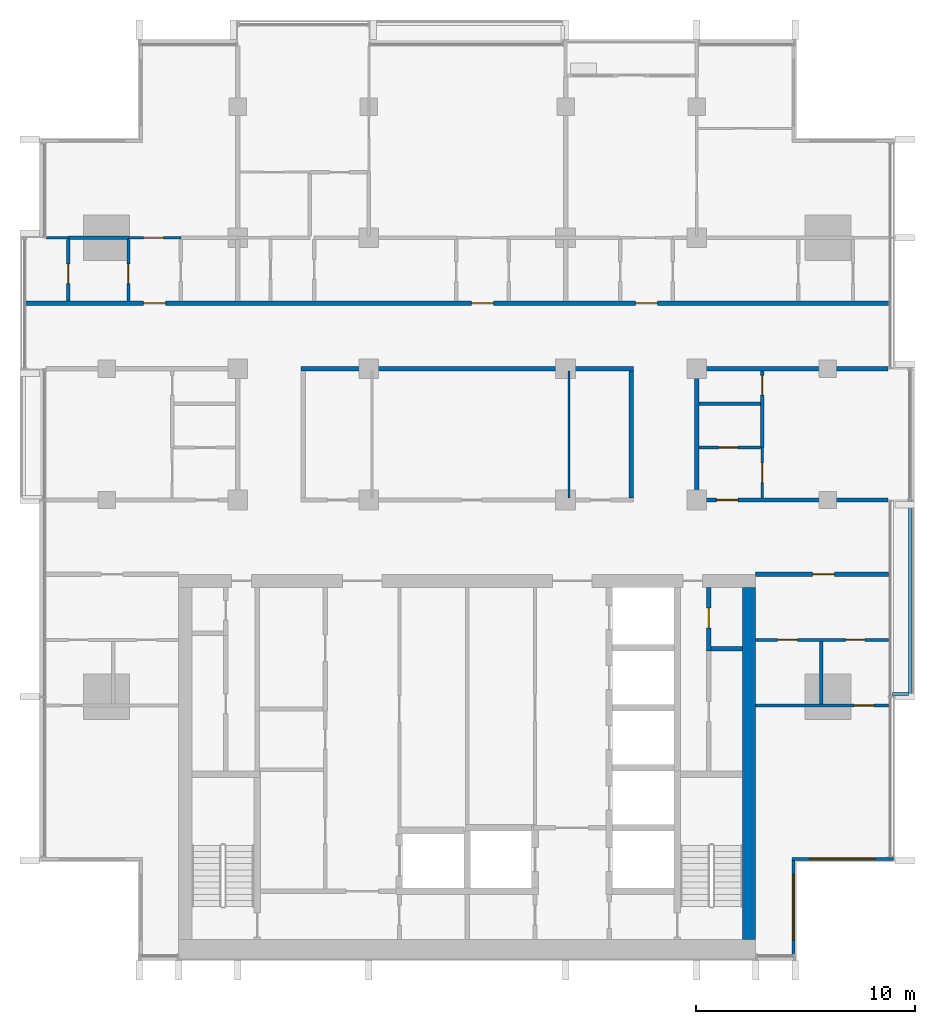
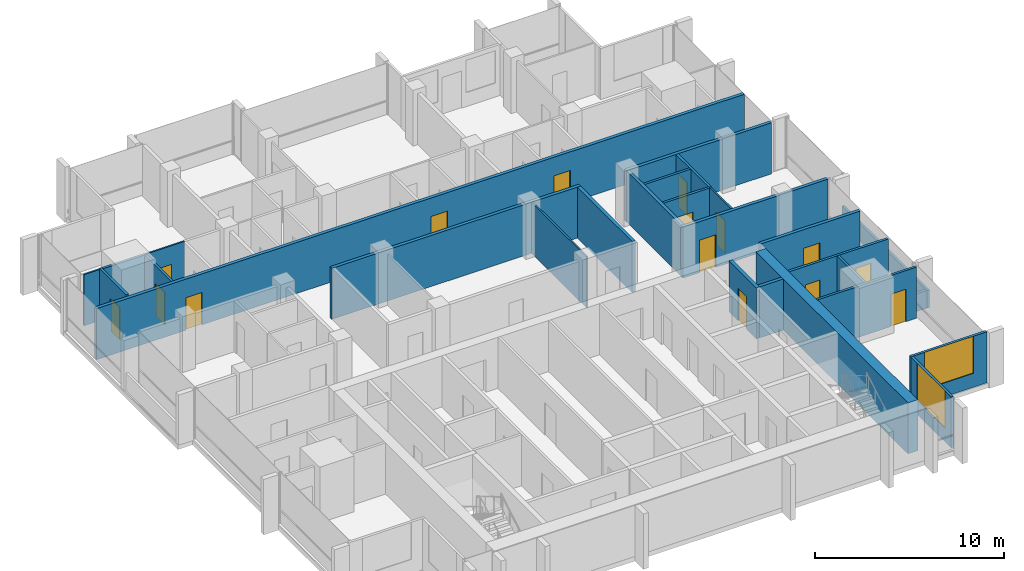
# One storey, part 9 of 16: 27 walls, 15 doors, 2 windows, 17 openings.
"""IFC4 building model written with IfcOpenShell, lengths in metres."""

from ifc_helpers import new_model, si_unit, direction, frame, frame_2d, origin, place, context, subcontext, project, spatial, rectangle, extrude, material, layer, layer_set, type_object, element, fill, save


model = new_model("IFC4")

# Units and contexts
model_context = context("Model", 3, precision=1e-05, world=origin(), true_north=direction((0.0, 1.0)))
body_context = subcontext(model_context, "Body", "Model", "MODEL_VIEW")
ifc_project = project(units=[si_unit("LENGTHUNIT", "METRE"), si_unit("AREAUNIT", "SQUARE_METRE"), si_unit("VOLUMEUNIT", "CUBIC_METRE"), si_unit("PLANEANGLEUNIT", "RADIAN"), si_unit("MASSUNIT", "GRAM", prefix="KILO")], contexts=[model_context])

# Site, building, storey
site_placement = place(None, origin())
site = spatial("IfcSite", under=ifc_project, at=site_placement, CompositionType="ELEMENT")
building_placement = place(site_placement, origin())
building = spatial("IfcBuilding", under=site, at=building_placement, Name="Finial Court Residences", CompositionType="ELEMENT")
storey_placement = place(building_placement, frame((0.0, 0.0, 219.5)))
storey = spatial("IfcBuildingStorey", under=building, at=storey_placement, Name="L55", CompositionType="ELEMENT", Elevation=219.5)

# Wall
ifc_material_1 = material(Name="Concrete C60/75", Category="concrete")
ifc_layer_1 = layer(ifc_material_1, 0.60009765625)
ifc_layer_set_1 = layer_set([ifc_layer_1], Name="Core outer wall 600 Concrete C60/75")
wall_type_1 = type_object("IfcWallType", Name="Core outer wall 600 Concrete C60/75", PredefinedType="SHEAR", material=ifc_layer_set_1)
wall_1_placement = place(storey_placement, frame((12.89990234375, -24.60009765625, 0.0), z_axis=(0.0, 0.0, 1.0), x_axis=(0.0, 1.0, 0.0)))
element("IfcWall", 1, at=wall_1_placement, inside=storey, type_object=wall_type_1, Name="Core outer wall L55-04", PredefinedType="SHEAR", context=body_context, shape_type="SweptSolid", body=[
    extrude(rectangle(XDim=16.10009765625, YDim=0.60009765625, at=frame_2d((8.050048828125, 0.0))), origin(), (0.0, 0.0, 1.0), 3.300048828125),
])

# Wall, opening, door
ifc_material_2 = material(Name="Gypsum board")
ifc_layer_2 = layer(ifc_material_2, 0.02490234375)
ifc_material_3 = material(Name="Acoustic mineral wool in double frame")
ifc_layer_3 = layer(ifc_material_3, 0.14990234375)
ifc_layer_4 = layer(ifc_material_2, 0.02490234375)
ifc_layer_set_2 = layer_set([ifc_layer_2, ifc_layer_3, ifc_layer_4], Name="Corridor wall 200, 1 hour")
wall_type_2 = type_object("IfcWallType", Name="Corridor wall 200, 1 hour", PredefinedType="PARTITIONING", material=ifc_layer_set_2)
wall_2_placement = place(storey_placement, frame((13.199951171875, -7.89990234375, 0.0), z_axis=(0.0, 0.0, 1.0), x_axis=(1.0, 0.0, 0.0)))
wall_2 = element("IfcWall", 2, at=wall_2_placement, inside=storey, type_object=wall_type_2, Name="Partition L55-005", PredefinedType="PARTITIONING", context=body_context, shape_type="SweptSolid", body=[
    extrude(rectangle(XDim=6.0625, YDim=0.199951171875, at=frame_2d((3.03125, 0.0))), origin(), (0.0, 0.0, 1.0), 3.300048828125),
])
opening_1_placement = place(wall_2_placement, frame((2.60009765625, 0.0, 0.0)))
opening_1 = element("IfcOpeningElement", 3, at=opening_1_placement, cuts=wall_2, Name="Opening L55-D008", PredefinedType="OPENING", context=body_context, shape_type="SweptSolid", body=[
    extrude(rectangle(XDim=1.0, YDim=2.10009765625, at=frame_2d((0.5, 1.050048828125))), frame((0.0, 0.10986328125, 0.0), z_axis=(0.0, -1.0, 0.0), x_axis=(1.0, 0.0, 0.0)), (0.0, 0.0, 1.0), 0.219970703125),
])
ifc_material_4 = material(Name="Timber door leaf in hollow metal frame", Category="wood")
door_type_1 = type_object("IfcDoorType", Name="Fire door set 1000 x 2100, 30 minutes", OperationType="SINGLE_SWING_LEFT", PredefinedType="DOOR", material=ifc_material_4)
door_1_placement = place(opening_1_placement, origin())
door_1 = element("IfcDoor", 4, at=door_1_placement, inside=storey, type_object=door_type_1, Name="Door L55-D008", OperationType="SINGLE_SWING_RIGHT", OverallHeight=2.10009765625, OverallWidth=1.0, PredefinedType="DOOR", context=body_context, shape_type="SweptSolid", body=[
    extrude(rectangle(XDim=1.0, YDim=2.10009765625, at=frame_2d((0.5, 1.050048828125))), frame((0.0, 0.02490234375, 0.0), z_axis=(0.0, -1.0, 0.0), x_axis=(1.0, 0.0, 0.0)), (0.0, 0.0, 1.0), 0.050048828125),
])
fill(opening_1, door_1)

wall_3_placement = place(storey_placement, frame((10.39990234375, -4.5, 0.0), z_axis=(0.0, 0.0, 1.0), x_axis=(1.0, 0.0, 0.0)))
wall_3 = element("IfcWall", 5, at=wall_3_placement, inside=storey, type_object=wall_type_2, Name="Partition L55-008", PredefinedType="PARTITIONING", context=body_context, shape_type="SweptSolid", body=[
    extrude(rectangle(XDim=8.862548828125, YDim=0.199951171875, at=frame_2d((4.43115234375, 0.0))), origin(), (0.0, 0.0, 1.0), 3.300048828125),
])
opening_2_placement = place(wall_3_placement, frame((1.0, 0.0, 0.0)))
opening_2 = element("IfcOpeningElement", 6, at=opening_2_placement, cuts=wall_3, Name="Opening L55-D013", PredefinedType="OPENING", context=body_context, shape_type="SweptSolid", body=[
    extrude(rectangle(XDim=1.0, YDim=2.10009765625, at=frame_2d((0.5, 1.050048828125))), frame((0.0, 0.10986328125, 0.0), z_axis=(0.0, -1.0, 0.0), x_axis=(1.0, 0.0, 0.0)), (0.0, 0.0, 1.0), 0.219970703125),
])
door_2_placement = place(opening_2_placement, origin())
door_2 = element("IfcDoor", 7, at=door_2_placement, inside=storey, type_object=door_type_1, Name="Door L55-D013", OperationType="SINGLE_SWING_RIGHT", OverallHeight=2.10009765625, OverallWidth=1.0, PredefinedType="DOOR", context=body_context, shape_type="SweptSolid", body=[
    extrude(rectangle(XDim=1.0, YDim=2.10009765625, at=frame_2d((0.5, 1.050048828125))), frame((0.0, 0.02490234375, 0.0), z_axis=(0.0, -1.0, 0.0), x_axis=(1.0, 0.0, 0.0)), (0.0, 0.0, 1.0), 0.050048828125),
])
fill(opening_2, door_2)

# Walls
wall_4_placement = place(storey_placement, frame((-7.60009765625, 1.5, 0.0), z_axis=(0.0, 0.0, 1.0), x_axis=(1.0, 0.0, 0.0)))
element("IfcWall", 8, at=wall_4_placement, inside=storey, type_object=wall_type_2, Name="Partition L55-014", PredefinedType="PARTITIONING", context=body_context, shape_type="SweptSolid", body=[
    extrude(rectangle(XDim=15.2001953125, YDim=0.199951171875, at=frame_2d((7.60009765625, 0.0))), origin(), (0.0, 0.0, 1.0), 3.300048828125),
])
wall_5_placement = place(storey_placement, frame((10.39990234375, 1.5, 0.0), z_axis=(0.0, 0.0, 1.0), x_axis=(1.0, 0.0, 0.0)))
element("IfcWall", 9, at=wall_5_placement, inside=storey, type_object=wall_type_2, Name="Partition L55-015", PredefinedType="PARTITIONING", context=body_context, shape_type="SweptSolid", body=[
    extrude(rectangle(XDim=8.862548828125, YDim=0.199951171875, at=frame_2d((4.43115234375, 0.0))), origin(), (0.0, 0.0, 1.0), 3.300048828125),
])

# Wall, openings, doors
wall_6_placement = place(storey_placement, frame((-20.25, 4.5, 0.0), z_axis=(0.0, 0.0, 1.0), x_axis=(1.0, 0.0, 0.0)))
wall_6 = element("IfcWall", 10, at=wall_6_placement, inside=storey, type_object=wall_type_2, Name="Partition L55-016", PredefinedType="PARTITIONING", context=body_context, shape_type="SweptSolid", body=[
    extrude(rectangle(XDim=39.60009765625, YDim=0.199951171875, at=frame_2d((19.800048828125, 0.0))), origin(), (0.0, 0.0, 1.0), 3.300048828125),
])
opening_3_placement = place(wall_6_placement, frame((5.449951171875, 0.0, 0.0)))
opening_3 = element("IfcOpeningElement", 11, at=opening_3_placement, cuts=wall_6, Name="Opening L55-D016", PredefinedType="OPENING", context=body_context, shape_type="SweptSolid", body=[
    extrude(rectangle(XDim=1.0, YDim=2.10009765625, at=frame_2d((0.5, 1.050048828125))), frame((0.0, 0.10986328125, 0.0), z_axis=(0.0, -1.0, 0.0), x_axis=(1.0, 0.0, 0.0)), (0.0, 0.0, 1.0), 0.219970703125),
])
opening_4_placement = place(wall_6_placement, frame((20.449951171875, 0.0, 0.0)))
opening_4 = element("IfcOpeningElement", 12, at=opening_4_placement, cuts=wall_6, Name="Opening L55-D017", PredefinedType="OPENING", context=body_context, shape_type="SweptSolid", body=[
    extrude(rectangle(XDim=1.0, YDim=2.10009765625, at=frame_2d((0.5, 1.050048828125))), frame((0.0, 0.10986328125, 0.0), z_axis=(0.0, -1.0, 0.0), x_axis=(1.0, 0.0, 0.0)), (0.0, 0.0, 1.0), 0.219970703125),
])
opening_5_placement = place(wall_6_placement, frame((27.949951171875, 0.0, 0.0)))
opening_5 = element("IfcOpeningElement", 13, at=opening_5_placement, cuts=wall_6, Name="Opening L55-D018", PredefinedType="OPENING", context=body_context, shape_type="SweptSolid", body=[
    extrude(rectangle(XDim=1.0, YDim=2.10009765625, at=frame_2d((0.5, 1.050048828125))), frame((0.0, 0.10986328125, 0.0), z_axis=(0.0, -1.0, 0.0), x_axis=(1.0, 0.0, 0.0)), (0.0, 0.0, 1.0), 0.219970703125),
])
door_3_placement = place(opening_3_placement, origin())
door_3 = element("IfcDoor", 14, at=door_3_placement, inside=storey, type_object=door_type_1, Name="Door L55-D016", OperationType="SINGLE_SWING_RIGHT", OverallHeight=2.10009765625, OverallWidth=1.0, PredefinedType="DOOR", context=body_context, shape_type="SweptSolid", body=[
    extrude(rectangle(XDim=1.0, YDim=2.10009765625, at=frame_2d((0.5, 1.050048828125))), frame((0.0, 0.02490234375, 0.0), z_axis=(0.0, -1.0, 0.0), x_axis=(1.0, 0.0, 0.0)), (0.0, 0.0, 1.0), 0.050048828125),
])
fill(opening_3, door_3)
door_4_placement = place(opening_4_placement, origin())
door_4 = element("IfcDoor", 15, at=door_4_placement, inside=storey, type_object=door_type_1, Name="Door L55-D017", OperationType="SINGLE_SWING_LEFT", OverallHeight=2.10009765625, OverallWidth=1.0, PredefinedType="DOOR", context=body_context, shape_type="SweptSolid", body=[
    extrude(rectangle(XDim=1.0, YDim=2.10009765625, at=frame_2d((0.5, 1.050048828125))), frame((0.0, 0.02490234375, 0.0), z_axis=(0.0, -1.0, 0.0), x_axis=(1.0, 0.0, 0.0)), (0.0, 0.0, 1.0), 0.050048828125),
])
fill(opening_4, door_4)
door_5_placement = place(opening_5_placement, origin())
door_5 = element("IfcDoor", 16, at=door_5_placement, inside=storey, type_object=door_type_1, Name="Door L55-D018", OperationType="SINGLE_SWING_LEFT", OverallHeight=2.10009765625, OverallWidth=1.0, PredefinedType="DOOR", context=body_context, shape_type="SweptSolid", body=[
    extrude(rectangle(XDim=1.0, YDim=2.10009765625, at=frame_2d((0.5, 1.050048828125))), frame((0.0, 0.02490234375, 0.0), z_axis=(0.0, -1.0, 0.0), x_axis=(1.0, 0.0, 0.0)), (0.0, 0.0, 1.0), 0.050048828125),
])
fill(opening_5, door_5)

# Walls
for number, where, z_axis, x_axis, name in (
    (17, (7.5, -4.39990234375, 0.0), (0.0, 0.0, 1.0), (0.0, 1.0, 0.0), "Partition L55-054"),
    (18, (10.5, -4.39990234375, 0.0), (0.0, 0.0, 1.0), (0.0, 1.0, 0.0), "Partition L55-056"),
):
    element("IfcWall", number, at=place(storey_placement, frame(where, z_axis=z_axis, x_axis=x_axis)), inside=storey, type_object=wall_type_2, Name=name, PredefinedType="PARTITIONING", context=body_context, shape_type="SweptSolid", body=[
        extrude(rectangle(XDim=5.7998046875, YDim=0.199951171875, at=frame_2d((2.89990234375, 0.0))), origin(), (0.0, 0.0, 1.0), 3.300048828125),
    ])
ifc_layer_5 = layer(ifc_material_2, 0.012451171875)
ifc_material_5 = material(Name="Mineral wool in light-gauge frame")
ifc_layer_6 = layer(ifc_material_5, 0.074951171875)
ifc_layer_7 = layer(ifc_material_2, 0.012451171875)
ifc_layer_set_3 = layer_set([ifc_layer_5, ifc_layer_6, ifc_layer_7], Name="Gypsum board partition 100")
wall_type_3 = type_object("IfcWallType", Name="Gypsum board partition 100", PredefinedType="PARTITIONING", material=ifc_layer_set_3)
wall_7_placement = place(storey_placement, frame((-19.262451171875, 7.5, 0.0), z_axis=(0.0, 0.0, 1.0), x_axis=(1.0, 0.0, 0.0)))
element("IfcWall", 19, at=wall_7_placement, inside=storey, type_object=wall_type_3, Name="Partition L55-017", PredefinedType="PARTITIONING", context=body_context, shape_type="SweptSolid", body=[
    extrude(rectangle(XDim=1.012451171875, YDim=0.10009765625, at=frame_2d((0.50634765625, 0.0))), origin(), (0.0, 0.0, 1.0), 3.300048828125),
])

# Wall, opening, door
wall_8_placement = place(storey_placement, frame((-15.5, 7.5, 0.0), z_axis=(0.0, 0.0, 1.0), x_axis=(1.0, 0.0, 0.0)))
wall_8 = element("IfcWall", 20, at=wall_8_placement, inside=storey, type_object=wall_type_3, Name="Partition L55-018", PredefinedType="PARTITIONING", context=body_context, shape_type="SweptSolid", body=[
    extrude(rectangle(XDim=2.39990234375, YDim=0.10009765625, at=frame_2d((1.199951171875, 0.0))), origin(), (0.0, 0.0, 1.0), 3.300048828125),
])
opening_6_placement = place(wall_8_placement, frame((0.699951171875, 0.0, 0.0)))
opening_6 = element("IfcOpeningElement", 21, at=opening_6_placement, cuts=wall_8, Name="Opening L55-D019", PredefinedType="OPENING", context=body_context, shape_type="SweptSolid", body=[
    extrude(rectangle(XDim=0.89990234375, YDim=2.10009765625, at=frame_2d((0.449951171875, 1.050048828125))), frame((0.0, 0.06005859375, 0.0), z_axis=(0.0, -1.0, 0.0), x_axis=(1.0, 0.0, 0.0)), (0.0, 0.0, 1.0), 0.1201171875),
])
ifc_material_6 = material(Name="Timber door leaf in timber frame", Category="wood")
door_type_2 = type_object("IfcDoorType", Name="Door set 900 x 2100", OperationType="SINGLE_SWING_LEFT", PredefinedType="DOOR", material=ifc_material_6)
door_6_placement = place(opening_6_placement, origin())
door_6 = element("IfcDoor", 22, at=door_6_placement, inside=storey, type_object=door_type_2, Name="Door L55-D019", OperationType="SINGLE_SWING_LEFT", OverallHeight=2.10009765625, OverallWidth=0.89990234375, PredefinedType="DOOR", context=body_context, shape_type="SweptSolid", body=[
    extrude(rectangle(XDim=0.89990234375, YDim=2.10009765625, at=frame_2d((0.449951171875, 1.050048828125))), frame((0.0, 0.02490234375, 0.0), z_axis=(0.0, -1.0, 0.0), x_axis=(1.0, 0.0, 0.0)), (0.0, 0.0, 1.0), 0.050048828125),
])
fill(opening_6, door_6)

# Wall
wall_9_placement = place(storey_placement, frame((4.64990234375, -4.39990234375, 0.0), z_axis=(0.0, 0.0, 1.0), x_axis=(0.0, 1.0, 0.0)))
element("IfcWall", 23, at=wall_9_placement, inside=storey, type_object=wall_type_3, Name="Partition L55-052", PredefinedType="PARTITIONING", context=body_context, shape_type="SweptSolid", body=[
    extrude(rectangle(XDim=5.7998046875, YDim=0.10009765625, at=frame_2d((2.89990234375, 0.0))), origin(), (0.0, 0.0, 1.0), 3.300048828125),
])

# Wall, opening, door
wall_10_placement = place(storey_placement, frame((13.5, -4.39990234375, 0.0), z_axis=(0.0, 0.0, 1.0), x_axis=(0.0, 1.0, 0.0)))
wall_10 = element("IfcWall", 24, at=wall_10_placement, inside=storey, type_object=wall_type_3, Name="Partition L55-058", PredefinedType="PARTITIONING", context=body_context, shape_type="SweptSolid", body=[
    extrude(rectangle(XDim=2.2998046875, YDim=0.10009765625, at=frame_2d((1.14990234375, 0.0))), origin(), (0.0, 0.0, 1.0), 3.300048828125),
])
opening_7_placement = place(wall_10_placement, frame((0.699951171875, 0.0, 0.0)))
opening_7 = element("IfcOpeningElement", 25, at=opening_7_placement, cuts=wall_10, Name="Opening L55-D038", PredefinedType="OPENING", context=body_context, shape_type="SweptSolid", body=[
    extrude(rectangle(XDim=0.89990234375, YDim=2.10009765625, at=frame_2d((0.449951171875, 1.050048828125))), frame((0.0, 0.06005859375, 0.0), z_axis=(0.0, -1.0, 0.0), x_axis=(1.0, 0.0, 0.0)), (0.0, 0.0, 1.0), 0.1201171875),
])
door_7_placement = place(opening_7_placement, origin())
door_7 = element("IfcDoor", 26, at=door_7_placement, inside=storey, type_object=door_type_2, Name="Door L55-D038", OperationType="SINGLE_SWING_LEFT", OverallHeight=2.10009765625, OverallWidth=0.89990234375, PredefinedType="DOOR", context=body_context, shape_type="SweptSolid", body=[
    extrude(rectangle(XDim=0.89990234375, YDim=2.10009765625, at=frame_2d((0.449951171875, 1.050048828125))), frame((0.0, 0.02490234375, 0.0), z_axis=(0.0, -1.0, 0.0), x_axis=(1.0, 0.0, 0.0)), (0.0, 0.0, 1.0), 0.050048828125),
])
fill(opening_7, door_7)

ifc_material_7 = material(Name="Moisture-resistant gypsum board")
ifc_layer_8 = layer(ifc_material_7, 0.012451171875)
ifc_layer_9 = layer(ifc_material_5, 0.125)
ifc_layer_10 = layer(ifc_material_7, 0.012451171875)
ifc_layer_set_4 = layer_set([ifc_layer_8, ifc_layer_9, ifc_layer_10], Name="Gypsum board wet-area partition 150")
wall_type_4 = type_object("IfcWallType", Name="Gypsum board wet-area partition 150", PredefinedType="PARTITIONING", material=ifc_layer_set_4)
wall_11_placement = place(storey_placement, frame((13.199951171875, -13.89990234375, 0.0), z_axis=(0.0, 0.0, 1.0), x_axis=(1.0, 0.0, 0.0)))
wall_11 = element("IfcWall", 27, at=wall_11_placement, inside=storey, type_object=wall_type_4, Name="Partition L55-001", PredefinedType="PARTITIONING", context=body_context, shape_type="SweptSolid", body=[
    extrude(rectangle(XDim=6.0625, YDim=0.14990234375, at=frame_2d((3.03125, 0.0))), origin(), (0.0, 0.0, 1.0), 3.300048828125),
])
opening_8_placement = place(wall_11_placement, frame((4.5, 0.0, 0.0)))
opening_8 = element("IfcOpeningElement", 28, at=opening_8_placement, cuts=wall_11, Name="Opening L55-D002", PredefinedType="OPENING", context=body_context, shape_type="SweptSolid", body=[
    extrude(rectangle(XDim=0.89990234375, YDim=2.10009765625, at=frame_2d((0.449951171875, 1.050048828125))), frame((0.0, 0.0849609375, 0.0), z_axis=(0.0, -1.0, 0.0), x_axis=(1.0, 0.0, 0.0)), (0.0, 0.0, 1.0), 0.169921875),
])
door_8_placement = place(opening_8_placement, origin())
door_8 = element("IfcDoor", 29, at=door_8_placement, inside=storey, type_object=door_type_2, Name="Door L55-D002", OperationType="SINGLE_SWING_RIGHT", OverallHeight=2.10009765625, OverallWidth=0.89990234375, PredefinedType="DOOR", context=body_context, shape_type="SweptSolid", body=[
    extrude(rectangle(XDim=0.89990234375, YDim=2.10009765625, at=frame_2d((0.449951171875, 1.050048828125))), frame((0.0, 0.02490234375, 0.0), z_axis=(0.0, -1.0, 0.0), x_axis=(1.0, 0.0, 0.0)), (0.0, 0.0, 1.0), 0.050048828125),
])
fill(opening_8, door_8)

# Wall, openings, doors
wall_12_placement = place(storey_placement, frame((13.199951171875, -10.89990234375, 0.0), z_axis=(0.0, 0.0, 1.0), x_axis=(1.0, 0.0, 0.0)))
wall_12 = element("IfcWall", 30, at=wall_12_placement, inside=storey, type_object=wall_type_4, Name="Partition L55-003", PredefinedType="PARTITIONING", context=body_context, shape_type="SweptSolid", body=[
    extrude(rectangle(XDim=6.0625, YDim=0.14990234375, at=frame_2d((3.03125, 0.0))), origin(), (0.0, 0.0, 1.0), 3.300048828125),
])
opening_9_placement = place(wall_12_placement, frame((1.0, 0.0, 0.0)))
opening_9 = element("IfcOpeningElement", 31, at=opening_9_placement, cuts=wall_12, Name="Opening L55-D005", PredefinedType="OPENING", context=body_context, shape_type="SweptSolid", body=[
    extrude(rectangle(XDim=0.89990234375, YDim=2.10009765625, at=frame_2d((0.449951171875, 1.050048828125))), frame((0.0, 0.0849609375, 0.0), z_axis=(0.0, -1.0, 0.0), x_axis=(1.0, 0.0, 0.0)), (0.0, 0.0, 1.0), 0.169921875),
])
opening_10_placement = place(wall_12_placement, frame((4.10009765625, 0.0, 0.0)))
opening_10 = element("IfcOpeningElement", 32, at=opening_10_placement, cuts=wall_12, Name="Opening L55-D006", PredefinedType="OPENING", context=body_context, shape_type="SweptSolid", body=[
    extrude(rectangle(XDim=0.89990234375, YDim=2.10009765625, at=frame_2d((0.449951171875, 1.050048828125))), frame((0.0, 0.0849609375, 0.0), z_axis=(0.0, -1.0, 0.0), x_axis=(1.0, 0.0, 0.0)), (0.0, 0.0, 1.0), 0.169921875),
])
door_9_placement = place(opening_9_placement, origin())
door_9 = element("IfcDoor", 33, at=door_9_placement, inside=storey, type_object=door_type_2, Name="Door L55-D005", OperationType="SINGLE_SWING_LEFT", OverallHeight=2.10009765625, OverallWidth=0.89990234375, PredefinedType="DOOR", context=body_context, shape_type="SweptSolid", body=[
    extrude(rectangle(XDim=0.89990234375, YDim=2.10009765625, at=frame_2d((0.449951171875, 1.050048828125))), frame((0.0, 0.02490234375, 0.0), z_axis=(0.0, -1.0, 0.0), x_axis=(1.0, 0.0, 0.0)), (0.0, 0.0, 1.0), 0.050048828125),
])
fill(opening_9, door_9)
door_10_placement = place(opening_10_placement, origin())
door_10 = element("IfcDoor", 34, at=door_10_placement, inside=storey, type_object=door_type_2, Name="Door L55-D006", OperationType="SINGLE_SWING_RIGHT", OverallHeight=2.10009765625, OverallWidth=0.89990234375, PredefinedType="DOOR", context=body_context, shape_type="SweptSolid", body=[
    extrude(rectangle(XDim=0.89990234375, YDim=2.10009765625, at=frame_2d((0.449951171875, 1.050048828125))), frame((0.0, 0.02490234375, 0.0), z_axis=(0.0, -1.0, 0.0), x_axis=(1.0, 0.0, 0.0)), (0.0, 0.0, 1.0), 0.050048828125),
])
fill(opening_10, door_10)

# Wall, opening, door
wall_13_placement = place(storey_placement, frame((10.60009765625, -2.10009765625, 0.0), z_axis=(0.0, 0.0, 1.0), x_axis=(1.0, 0.0, 0.0)))
wall_13 = element("IfcWall", 35, at=wall_13_placement, inside=storey, type_object=wall_type_4, Name="Partition L55-010", PredefinedType="PARTITIONING", context=body_context, shape_type="SweptSolid", body=[
    extrude(rectangle(XDim=2.824951171875, YDim=0.14990234375, at=frame_2d((1.41259765625, 0.0))), origin(), (0.0, 0.0, 1.0), 3.300048828125),
])
opening_11_placement = place(wall_13_placement, frame((0.89990234375, 0.0, 0.0)))
opening_11 = element("IfcOpeningElement", 36, at=opening_11_placement, cuts=wall_13, Name="Opening L55-D015", PredefinedType="OPENING", context=body_context, shape_type="SweptSolid", body=[
    extrude(rectangle(XDim=0.89990234375, YDim=2.10009765625, at=frame_2d((0.449951171875, 1.050048828125))), frame((0.0, 0.0849609375, 0.0), z_axis=(0.0, -1.0, 0.0), x_axis=(1.0, 0.0, 0.0)), (0.0, 0.0, 1.0), 0.169921875),
])
door_11_placement = place(opening_11_placement, origin())
door_11 = element("IfcDoor", 37, at=door_11_placement, inside=storey, type_object=door_type_2, Name="Door L55-D015", OperationType="SINGLE_SWING_RIGHT", OverallHeight=2.10009765625, OverallWidth=0.89990234375, PredefinedType="DOOR", context=body_context, shape_type="SweptSolid", body=[
    extrude(rectangle(XDim=0.89990234375, YDim=2.10009765625, at=frame_2d((0.449951171875, 1.050048828125))), frame((0.0, 0.02490234375, 0.0), z_axis=(0.0, -1.0, 0.0), x_axis=(1.0, 0.0, 0.0)), (0.0, 0.0, 1.0), 0.050048828125),
])
fill(opening_11, door_11)

# Walls
wall_14_placement = place(storey_placement, frame((10.60009765625, -0.10009765625, 0.0), z_axis=(0.0, 0.0, 1.0), x_axis=(1.0, 0.0, 0.0)))
element("IfcWall", 38, at=wall_14_placement, inside=storey, type_object=wall_type_4, Name="Partition L55-012", PredefinedType="PARTITIONING", context=body_context, shape_type="SweptSolid", body=[
    extrude(rectangle(XDim=2.824951171875, YDim=0.14990234375, at=frame_2d((1.41259765625, 0.0))), origin(), (0.0, 0.0, 1.0), 3.300048828125),
])
wall_15_placement = place(storey_placement, frame((-18.25, 7.5, 0.0), z_axis=(0.0, 0.0, 1.0), x_axis=(1.0, 0.0, 0.0)))
element("IfcWall", 39, at=wall_15_placement, inside=storey, type_object=wall_type_4, Name="Partition L55-023", PredefinedType="PARTITIONING", context=body_context, shape_type="SweptSolid", body=[
    extrude(rectangle(XDim=2.75, YDim=0.14990234375, at=frame_2d((1.375, 0.0))), origin(), (0.0, 0.0, 1.0), 3.300048828125),
])

# Wall, opening, door
wall_16_placement = place(storey_placement, frame((-18.25, 4.60009765625, 0.0), z_axis=(0.0, 0.0, 1.0), x_axis=(0.0, 1.0, 0.0)))
wall_16 = element("IfcWall", 40, at=wall_16_placement, inside=storey, type_object=wall_type_4, Name="Partition L55-032", PredefinedType="PARTITIONING", context=body_context, shape_type="SweptSolid", body=[
    extrude(rectangle(XDim=2.824951171875, YDim=0.14990234375, at=frame_2d((1.41259765625, 0.0))), origin(), (0.0, 0.0, 1.0), 3.39990234375),
])
opening_12_placement = place(wall_16_placement, frame((0.800048828125, 0.0, 0.0)))
opening_12 = element("IfcOpeningElement", 41, at=opening_12_placement, cuts=wall_16, Name="Opening L55-D025", PredefinedType="OPENING", context=body_context, shape_type="SweptSolid", body=[
    extrude(rectangle(XDim=0.89990234375, YDim=2.10009765625, at=frame_2d((0.449951171875, 1.050048828125))), frame((0.0, 0.0849609375, 0.0), z_axis=(0.0, -1.0, 0.0), x_axis=(1.0, 0.0, 0.0)), (0.0, 0.0, 1.0), 0.169921875),
])
door_12_placement = place(opening_12_placement, origin())
door_12 = element("IfcDoor", 42, at=door_12_placement, inside=storey, type_object=door_type_2, Name="Door L55-D025", OperationType="SINGLE_SWING_RIGHT", OverallHeight=2.10009765625, OverallWidth=0.89990234375, PredefinedType="DOOR", context=body_context, shape_type="SweptSolid", body=[
    extrude(rectangle(XDim=0.89990234375, YDim=2.10009765625, at=frame_2d((0.449951171875, 1.050048828125))), frame((0.0, 0.02490234375, 0.0), z_axis=(0.0, -1.0, 0.0), x_axis=(1.0, 0.0, 0.0)), (0.0, 0.0, 1.0), 0.050048828125),
])
fill(opening_12, door_12)

wall_17_placement = place(storey_placement, frame((-15.5, 4.60009765625, 0.0), z_axis=(0.0, 0.0, 1.0), x_axis=(0.0, 1.0, 0.0)))
wall_17 = element("IfcWall", 43, at=wall_17_placement, inside=storey, type_object=wall_type_4, Name="Partition L55-034", PredefinedType="PARTITIONING", context=body_context, shape_type="SweptSolid", body=[
    extrude(rectangle(XDim=2.824951171875, YDim=0.14990234375, at=frame_2d((1.41259765625, 0.0))), origin(), (0.0, 0.0, 1.0), 3.300048828125),
])
opening_13_placement = place(wall_17_placement, frame((0.800048828125, 0.0, 0.0)))
opening_13 = element("IfcOpeningElement", 44, at=opening_13_placement, cuts=wall_17, Name="Opening L55-D026", PredefinedType="OPENING", context=body_context, shape_type="SweptSolid", body=[
    extrude(rectangle(XDim=0.89990234375, YDim=2.10009765625, at=frame_2d((0.449951171875, 1.050048828125))), frame((0.0, 0.0849609375, 0.0), z_axis=(0.0, -1.0, 0.0), x_axis=(1.0, 0.0, 0.0)), (0.0, 0.0, 1.0), 0.169921875),
])
door_13_placement = place(opening_13_placement, origin())
door_13 = element("IfcDoor", 45, at=door_13_placement, inside=storey, type_object=door_type_2, Name="Door L55-D026", OperationType="SINGLE_SWING_RIGHT", OverallHeight=2.10009765625, OverallWidth=0.89990234375, PredefinedType="DOOR", context=body_context, shape_type="SweptSolid", body=[
    extrude(rectangle(XDim=0.89990234375, YDim=2.10009765625, at=frame_2d((0.449951171875, 1.050048828125))), frame((0.0, 0.02490234375, 0.0), z_axis=(0.0, -1.0, 0.0), x_axis=(1.0, 0.0, 0.0)), (0.0, 0.0, 1.0), 0.050048828125),
])
fill(opening_13, door_13)

wall_18_placement = place(storey_placement, frame((13.5, -2.10009765625, 0.0), z_axis=(0.0, 0.0, 1.0), x_axis=(0.0, 1.0, 0.0)))
wall_18 = element("IfcWall", 46, at=wall_18_placement, inside=storey, type_object=wall_type_4, Name="Partition L55-059", PredefinedType="PARTITIONING", context=body_context, shape_type="SweptSolid", body=[
    extrude(rectangle(XDim=3.5, YDim=0.14990234375, at=frame_2d((1.75, 0.0))), origin(), (0.0, 0.0, 1.0), 3.300048828125),
])
opening_14_placement = place(wall_18_placement, frame((2.39990234375, 0.0, 0.0)))
opening_14 = element("IfcOpeningElement", 47, at=opening_14_placement, cuts=wall_18, Name="Opening L55-D039", PredefinedType="OPENING", context=body_context, shape_type="SweptSolid", body=[
    extrude(rectangle(XDim=0.89990234375, YDim=2.10009765625, at=frame_2d((0.449951171875, 1.050048828125))), frame((0.0, 0.0849609375, 0.0), z_axis=(0.0, -1.0, 0.0), x_axis=(1.0, 0.0, 0.0)), (0.0, 0.0, 1.0), 0.169921875),
])
door_14_placement = place(opening_14_placement, origin())
door_14 = element("IfcDoor", 48, at=door_14_placement, inside=storey, type_object=door_type_2, Name="Door L55-D039", OperationType="SINGLE_SWING_LEFT", OverallHeight=2.10009765625, OverallWidth=0.89990234375, PredefinedType="DOOR", context=body_context, shape_type="SweptSolid", body=[
    extrude(rectangle(XDim=0.89990234375, YDim=2.10009765625, at=frame_2d((0.449951171875, 1.050048828125))), frame((0.0, 0.02490234375, 0.0), z_axis=(0.0, -1.0, 0.0), x_axis=(1.0, 0.0, 0.0)), (0.0, 0.0, 1.0), 0.050048828125),
])
fill(opening_14, door_14)

# Walls
wall_19_placement = place(storey_placement, frame((16.199951171875, -13.824951171875, 0.0), z_axis=(0.0, 0.0, 1.0), x_axis=(0.0, 1.0, 0.0)))
element("IfcWall", 49, at=wall_19_placement, inside=storey, type_object=wall_type_4, Name="Partition L55-061", PredefinedType="PARTITIONING", context=body_context, shape_type="SweptSolid", body=[
    extrude(rectangle(XDim=2.849853515625, YDim=0.14990234375, at=frame_2d((1.4248046875, 0.0))), origin(), (0.0, 0.0, 1.0), 3.300048828125),
])
ifc_material_8 = material(Name="Concrete C35/45", Category="concrete")
ifc_layer_11 = layer(ifc_material_8, 0.14990234375)
ifc_layer_set_5 = layer_set([ifc_layer_11], Name="Ledge parapet, Concrete C35/45 150")
wall_type_5 = type_object("IfcWallType", Name="Ledge parapet, Concrete C35/45 150", PredefinedType="PARAPET", material=ifc_layer_set_5)
wall_20_placement = place(storey_placement, frame((20.27490234375, -4.447509765625, 0.0), z_axis=(0.0, 0.0, 1.0), x_axis=(0.0, -1.0, 0.0)))
element("IfcWall", 50, at=wall_20_placement, inside=storey, type_object=wall_type_5, Name="E-L55-LED3-P1", PredefinedType="PARAPET", context=body_context, shape_type="SweptSolid", body=[
    extrude(rectangle(XDim=9.00244140625, YDim=0.14990234375, at=frame_2d((4.501220703125, 0.0))), origin(), (0.0, 0.0, 1.0), 1.14990234375),
])
wall_21_placement = place(storey_placement, frame((20.199951171875, -13.375, 0.0), z_axis=(0.0, 0.0, 1.0), x_axis=(-1.0, 0.0, 0.0)))
element("IfcWall", 51, at=wall_21_placement, inside=storey, type_object=wall_type_5, Name="E-L55-LED3-P2", PredefinedType="PARAPET", context=body_context, shape_type="SweptSolid", body=[
    extrude(rectangle(XDim=0.75244140625, YDim=0.14990234375, at=frame_2d((0.376220703125, 0.0))), origin(), (0.0, 0.0, 1.0), 1.14990234375),
])

# Wall, opening, window
ifc_material_9 = material(Name="Natural limestone", Category="masonry")
ifc_layer_12 = layer(ifc_material_9, 0.14990234375)
ifc_layer_set_6 = layer_set([ifc_layer_12], Name="Limestone clad wall 150")
wall_type_6 = type_object("IfcWallType", Name="Limestone clad wall 150", PredefinedType="SOLIDWALL", material=ifc_layer_set_6)
wall_22_placement = place(storey_placement, frame((14.925048828125, -21.0, 0.0), z_axis=(0.0, 0.0, 1.0), x_axis=(0.0, -1.0, 0.0)))
wall_22 = element("IfcWall", 52, at=wall_22_placement, inside=storey, type_object=wall_type_6, Name="E-L55-NWE15", PredefinedType="SOLIDWALL", context=body_context, shape_type="SweptSolid", body=[
    extrude(rectangle(XDim=4.262451171875, YDim=0.14990234375, at=frame_2d((2.13134765625, 0.0))), origin(), (0.0, 0.0, 1.0), 3.300048828125),
])
opening_15_placement = place(wall_22_placement, frame((0.63134765625, 0.0, 0.89990234375)))
opening_15 = element("IfcOpeningElement", 53, at=opening_15_placement, cuts=wall_22, Name="Opening WE55-03", PredefinedType="OPENING", context=body_context, shape_type="SweptSolid", body=[
    extrude(rectangle(XDim=3.0, YDim=2.39990234375, at=frame_2d((1.5, 1.199951171875))), frame((0.0, 0.0849609375, 0.0), z_axis=(0.0, -1.0, 0.0), x_axis=(1.0, 0.0, 0.0)), (0.0, 0.0, 1.0), 0.169921875),
])
ifc_material_10 = material(Name="Clear low-e glass", Category="glass")
window_type = type_object("IfcWindowType", Name="Corner window 3000 x 2400", PartitioningType="SINGLE_PANEL", PredefinedType="WINDOW", material=ifc_material_10)
window_1_placement = place(opening_15_placement, origin())
window_1 = element("IfcWindow", 54, at=window_1_placement, inside=storey, type_object=window_type, Name="E-L55-NWE15-W1", OverallHeight=2.39990234375, OverallWidth=3.0, PartitioningType="SINGLE_PANEL", PredefinedType="WINDOW", context=body_context, shape_type="SweptSolid", body=[
    extrude(rectangle(XDim=3.0, YDim=2.39990234375, at=frame_2d((1.5, 1.199951171875))), frame((0.0, 0.030029296875, 0.0), z_axis=(0.0, -1.0, 0.0), x_axis=(1.0, 0.0, 0.0)), (0.0, 0.0, 1.0), 0.06005859375),
])
fill(opening_15, window_1)

wall_23_placement = place(storey_placement, frame((19.5, -20.925048828125, 0.0), z_axis=(0.0, 0.0, 1.0), x_axis=(-1.0, 0.0, 0.0)))
wall_23 = element("IfcWall", 55, at=wall_23_placement, inside=storey, type_object=wall_type_6, Name="E-L55-NWS16", PredefinedType="SOLIDWALL", context=body_context, shape_type="SweptSolid", body=[
    extrude(rectangle(XDim=4.64990234375, YDim=0.14990234375, at=frame_2d((2.324951171875, 0.0))), origin(), (0.0, 0.0, 1.0), 3.300048828125),
])
opening_16_placement = place(wall_23_placement, frame((0.824951171875, 0.0, 0.89990234375)))
opening_16 = element("IfcOpeningElement", 56, at=opening_16_placement, cuts=wall_23, Name="Opening WE55-04", PredefinedType="OPENING", context=body_context, shape_type="SweptSolid", body=[
    extrude(rectangle(XDim=3.0, YDim=2.39990234375, at=frame_2d((1.5, 1.199951171875))), frame((0.0, 0.0849609375, 0.0), z_axis=(0.0, -1.0, 0.0), x_axis=(1.0, 0.0, 0.0)), (0.0, 0.0, 1.0), 0.169921875),
])
window_2_placement = place(opening_16_placement, origin())
window_2 = element("IfcWindow", 57, at=window_2_placement, inside=storey, type_object=window_type, Name="E-L55-NWS16-W1", OverallHeight=2.39990234375, OverallWidth=3.0, PartitioningType="SINGLE_PANEL", PredefinedType="WINDOW", context=body_context, shape_type="SweptSolid", body=[
    extrude(rectangle(XDim=3.0, YDim=2.39990234375, at=frame_2d((1.5, 1.199951171875))), frame((0.0, 0.030029296875, 0.0), z_axis=(0.0, -1.0, 0.0), x_axis=(1.0, 0.0, 0.0)), (0.0, 0.0, 1.0), 0.06005859375),
])
fill(opening_16, window_2)

# Wall
ifc_material_11 = material(Name="Fire-rated gypsum board partition")
ifc_layer_13 = layer(ifc_material_11, 0.199951171875)
ifc_layer_set_7 = layer_set([ifc_layer_13], Name="Riser room wall 200 EI 120")
wall_type_7 = type_object("IfcWallType", Name="Riser room wall 200 EI 120", PredefinedType="PARTITIONING", material=ifc_layer_set_7)
wall_24_placement = place(storey_placement, frame((11.14990234375, -11.300048828125, 0.0), z_axis=(0.0, 0.0, 1.0), x_axis=(1.0, 0.0, 0.0)))
element("IfcWall", 58, at=wall_24_placement, inside=storey, type_object=wall_type_7, Name="Core partition L55-14", PredefinedType="PARTITIONING", context=body_context, shape_type="SweptSolid", body=[
    extrude(rectangle(XDim=1.4501953125, YDim=0.199951171875, at=frame_2d((0.72509765625, 0.0))), origin(), (0.0, 0.0, 1.0), 3.300048828125),
])

# Wall, opening, door
wall_25_placement = place(storey_placement, frame((11.050048828125, -8.5, 0.0), z_axis=(0.0, 0.0, 1.0), x_axis=(0.0, -1.0, 0.0)))
wall_25 = element("IfcWall", 59, at=wall_25_placement, inside=storey, type_object=wall_type_7, Name="Core partition L55-38", PredefinedType="PARTITIONING", context=body_context, shape_type="SweptSolid", body=[
    extrude(rectangle(XDim=2.89990234375, YDim=0.199951171875, at=frame_2d((1.449951171875, 0.0))), origin(), (0.0, 0.0, 1.0), 3.300048828125),
])
opening_17_placement = place(wall_25_placement, frame((0.949951171875, 0.0, 0.0)))
opening_17 = element("IfcOpeningElement", 60, at=opening_17_placement, cuts=wall_25, Name="Opening L55-C08", PredefinedType="OPENING", context=body_context, shape_type="SweptSolid", body=[
    extrude(rectangle(XDim=0.89990234375, YDim=2.10009765625, at=frame_2d((0.449951171875, 1.050048828125))), frame((0.0, 0.10986328125, 0.0), z_axis=(0.0, -1.0, 0.0), x_axis=(1.0, 0.0, 0.0)), (0.0, 0.0, 1.0), 0.219970703125),
])
ifc_material_12 = material(Name="Steel fire door", Category="steel")
door_type_3 = type_object("IfcDoorType", Name="Riser room door 900 x 2100 EI 90", OperationType="NOTDEFINED", PredefinedType="DOOR", material=ifc_material_12)
door_15_placement = place(opening_17_placement, origin())
door_15 = element("IfcDoor", 61, at=door_15_placement, inside=storey, type_object=door_type_3, Name="Riser room door L55-C08", OperationType="SINGLE_SWING_RIGHT", OverallHeight=2.10009765625, OverallWidth=0.89990234375, PredefinedType="DOOR", context=body_context, shape_type="SweptSolid", body=[
    extrude(rectangle(XDim=0.89990234375, YDim=2.10009765625, at=frame_2d((0.449951171875, 1.050048828125))), frame((0.0, 0.02490234375, 0.0), z_axis=(0.0, -1.0, 0.0), x_axis=(1.0, 0.0, 0.0)), (0.0, 0.0, 1.0), 0.050048828125),
])
fill(opening_17, door_15)

save(model, "model.ifc")
